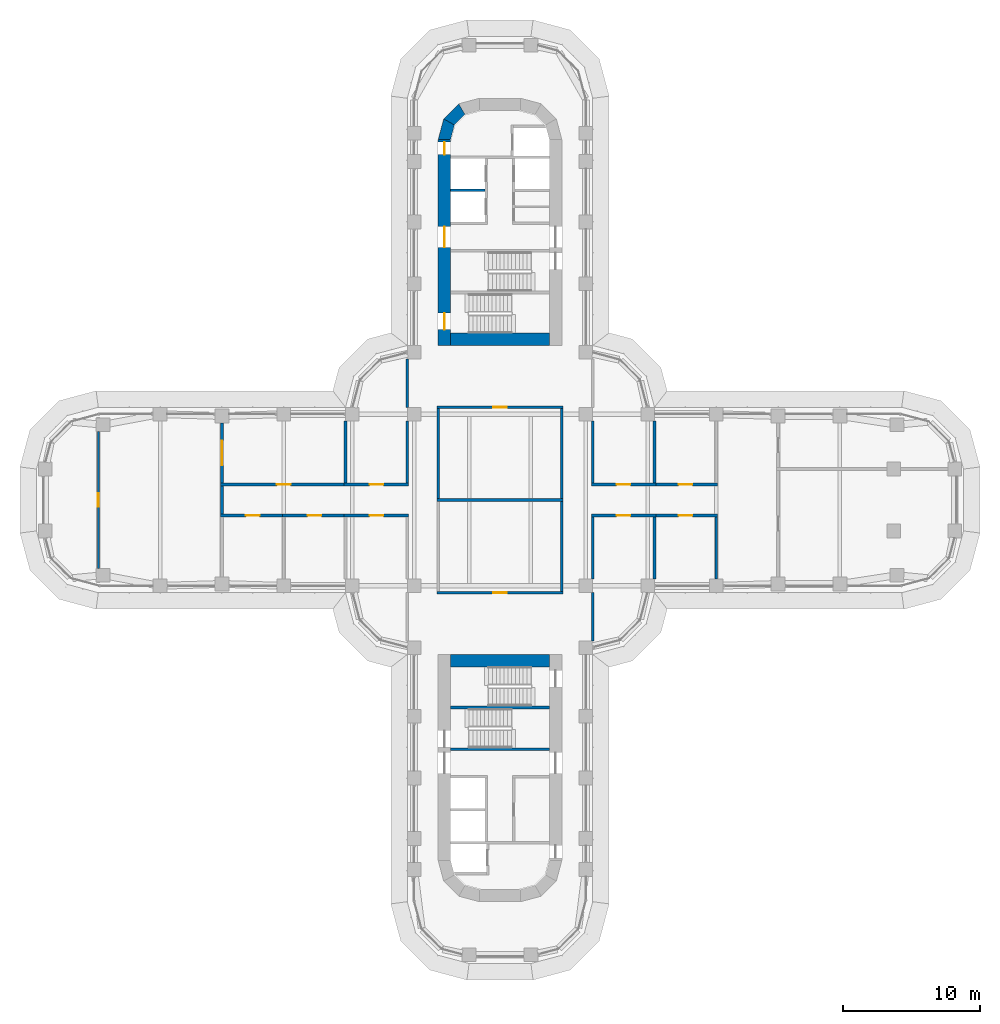
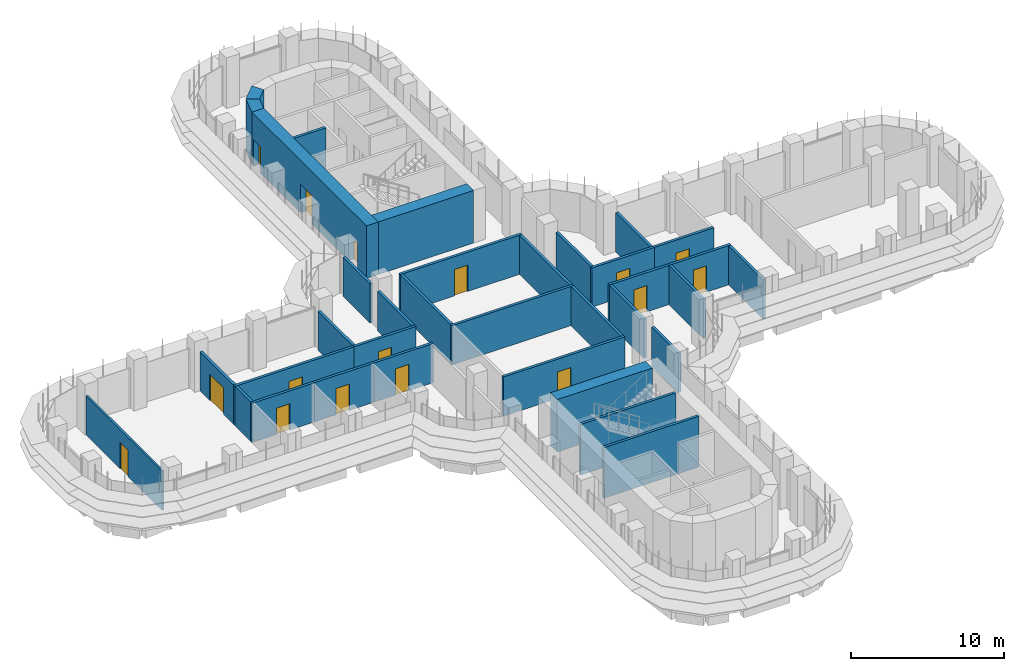
# One storey, part 17 of 23: 35 walls, 16 doors, 16 openings.
"""IFC4 building model written with IfcOpenShell, lengths in metres."""

from ifc_helpers import new_model, si_unit, direction, frame, frame_2d, origin, place, context, subcontext, project, spatial, polyline, rectangle, outline, extrude, material, layer, layer_set, type_object, element, fill, save


model = new_model("IFC4")

# Units and contexts
model_context = context("Model", 3, precision=1e-05, world=origin(), true_north=direction((0.0, 1.0)))
body_context = subcontext(model_context, "Body", "Model", "MODEL_VIEW")
ifc_project = project(units=[si_unit("LENGTHUNIT", "METRE"), si_unit("AREAUNIT", "SQUARE_METRE"), si_unit("VOLUMEUNIT", "CUBIC_METRE"), si_unit("PLANEANGLEUNIT", "RADIAN"), si_unit("MASSUNIT", "GRAM", prefix="KILO")], contexts=[model_context])

# Site, building, storey
site_placement = place(None, origin())
site = spatial("IfcSite", under=ifc_project, at=site_placement, CompositionType="ELEMENT")
building_placement = place(site_placement, origin())
building = spatial("IfcBuilding", under=site, at=building_placement, Name="Zarbagh Exchange Tower", CompositionType="ELEMENT")
storey_placement = place(building_placement, frame((0.0, 0.0, 52.199951171875)))
storey = spatial("IfcBuildingStorey", under=building, at=storey_placement, Name="L11", CompositionType="ELEMENT", Elevation=52.199951171875)

# Wall, opening, door
ifc_material_1 = material(Name="Plasterboard partition")
ifc_layer_1 = layer(ifc_material_1, 0.14990234375)
ifc_layer_set_1 = layer_set([ifc_layer_1], Name="PARTITION 150")
wall_type_1 = type_object("IfcWallType", Name="PARTITION 150", PredefinedType="PARTITIONING", material=ifc_layer_set_1)
wall_1_placement = place(storey_placement, frame((-29.25, -4.97509765625, 0.0), z_axis=(0.0, 0.0, 1.0), x_axis=(0.0, 1.0, 0.0)))
wall_1 = element("IfcWall", 1, at=wall_1_placement, inside=storey, type_object=wall_type_1, Name="Partition W-339", PredefinedType="PARTITIONING", context=body_context, shape_type="SweptSolid", body=[
    extrude(rectangle(XDim=9.9501953125, YDim=0.14990234375, at=frame_2d((4.97509765625, 0.0))), origin(), (0.0, 0.0, 1.0), 3.130615234375),
])
opening_1_placement = place(wall_1_placement, frame((4.47509765625, 0.0, 0.0)))
opening_1 = element("IfcOpeningElement", 2, at=opening_1_placement, cuts=wall_1, Name="Opening D-309", PredefinedType="OPENING", context=body_context, shape_type="SweptSolid", body=[
    extrude(rectangle(XDim=1.0, YDim=2.10009765625, at=frame_2d((0.5, 1.050048828125))), frame((0.0, 0.0849609375, 0.0), z_axis=(0.0, -1.0, 0.0), x_axis=(1.0, 0.0, 0.0)), (0.0, 0.0, 1.0), 0.169921875),
])
ifc_material_2 = material(Name="Timber door leaf", Category="wood")
door_type_1 = type_object("IfcDoorType", Name="DOOR 1000 X 2100", OperationType="NOTDEFINED", PredefinedType="DOOR", material=ifc_material_2)
door_1_placement = place(opening_1_placement, origin())
door_1 = element("IfcDoor", 3, at=door_1_placement, inside=storey, type_object=door_type_1, Name="Door D-309", OperationType="SINGLE_SWING_RIGHT", OverallHeight=2.10009765625, OverallWidth=1.0, PredefinedType="DOOR", context=body_context, shape_type="SweptSolid", body=[
    extrude(rectangle(XDim=1.0, YDim=2.10009765625, at=frame_2d((0.5, 1.050048828125))), frame((0.0, 0.02490234375, 0.0), z_axis=(0.0, -1.0, 0.0), x_axis=(1.0, 0.0, 0.0)), (0.0, 0.0, 1.0), 0.050048828125),
])
fill(opening_1, door_1)

# Walls
ifc_material_3 = material(Name="Fire-rated plasterboard partition")
ifc_layer_2 = layer(ifc_material_3, 0.199951171875)
ifc_layer_set_2 = layer_set([ifc_layer_2], Name="RATED PARTITION 200")
wall_type_2 = type_object("IfcWallType", Name="RATED PARTITION 200", PredefinedType="PARTITIONING", material=ifc_layer_set_2)
wall_2_placement = place(storey_placement, frame((-4.5, 0.10009765625, 0.0), z_axis=(0.0, 0.0, 1.0), x_axis=(0.0, 1.0, 0.0)))
element("IfcWall", 4, at=wall_2_placement, inside=storey, type_object=wall_type_2, Name="Partition W-301", PredefinedType="PARTITIONING", context=body_context, shape_type="SweptSolid", body=[
    extrude(rectangle(XDim=6.5498046875, YDim=0.199951171875, at=frame_2d((3.27490234375, 0.0))), origin(), (0.0, 0.0, 1.0), 3.130615234375),
])
wall_3_placement = place(storey_placement, frame((-6.75, 1.22509765625, 0.0), z_axis=(0.0, 0.0, 1.0), x_axis=(0.0, 1.0, 0.0)))
element("IfcWall", 5, at=wall_3_placement, inside=storey, type_object=wall_type_2, Name="Partition W-303", PredefinedType="PARTITIONING", context=body_context, shape_type="SweptSolid", body=[
    extrude(rectangle(XDim=4.52490234375, YDim=0.199951171875, at=frame_2d((2.262451171875, 0.0))), origin(), (0.0, 0.0, 1.0), 3.130615234375),
])
wall_4_placement = place(storey_placement, frame((-6.75, 6.75, 0.0), z_axis=(0.0, 0.0, 1.0), x_axis=(0.0, 1.0, 0.0)))
element("IfcWall", 6, at=wall_4_placement, inside=storey, type_object=wall_type_2, Name="Partition W-304", PredefinedType="PARTITIONING", context=body_context, shape_type="SweptSolid", body=[
    extrude(rectangle(XDim=3.5, YDim=0.199951171875, at=frame_2d((1.75, 0.0))), origin(), (0.0, 0.0, 1.0), 3.130615234375),
])
for number, where, z_axis, x_axis, name in (
    (7, (4.5, 0.10009765625, 0.0), (0.0, 0.0, 1.0), (0.0, 1.0, 0.0), "Partition W-307"),
    (8, (4.5, -6.64990234375, 0.0), (0.0, 0.0, 1.0), (0.0, 1.0, 0.0), "Partition W-308"),
):
    element("IfcWall", number, at=place(storey_placement, frame(where, z_axis=z_axis, x_axis=x_axis)), inside=storey, type_object=wall_type_2, Name=name, PredefinedType="PARTITIONING", context=body_context, shape_type="SweptSolid", body=[
        extrude(rectangle(XDim=6.5498046875, YDim=0.199951171875, at=frame_2d((3.27490234375, 0.0))), origin(), (0.0, 0.0, 1.0), 3.130615234375),
    ])
wall_5_placement = place(storey_placement, frame((6.75, 1.22509765625, 0.0), z_axis=(0.0, 0.0, 1.0), x_axis=(0.0, 1.0, 0.0)))
element("IfcWall", 9, at=wall_5_placement, inside=storey, type_object=wall_type_2, Name="Partition W-309", PredefinedType="PARTITIONING", context=body_context, shape_type="SweptSolid", body=[
    extrude(rectangle(XDim=4.52490234375, YDim=0.199951171875, at=frame_2d((2.262451171875, 0.0))), origin(), (0.0, 0.0, 1.0), 3.130615234375),
])
wall_6_placement = place(storey_placement, frame((6.75, -10.25, 0.0), z_axis=(0.0, 0.0, 1.0), x_axis=(0.0, 1.0, 0.0)))
element("IfcWall", 10, at=wall_6_placement, inside=storey, type_object=wall_type_2, Name="Partition W-311", PredefinedType="PARTITIONING", context=body_context, shape_type="SweptSolid", body=[
    extrude(rectangle(XDim=3.5, YDim=0.199951171875, at=frame_2d((1.75, 0.0))), origin(), (0.0, 0.0, 1.0), 3.130615234375),
])
wall_7_placement = place(storey_placement, frame((6.75, -5.75, 0.0), z_axis=(0.0, 0.0, 1.0), x_axis=(0.0, 1.0, 0.0)))
element("IfcWall", 11, at=wall_7_placement, inside=storey, type_object=wall_type_2, Name="Partition W-312", PredefinedType="PARTITIONING", context=body_context, shape_type="SweptSolid", body=[
    extrude(rectangle(XDim=4.52490234375, YDim=0.199951171875, at=frame_2d((2.262451171875, 0.0))), origin(), (0.0, 0.0, 1.0), 3.130615234375),
])

# Wall, opening, door
wall_8_placement = place(storey_placement, frame((4.60009765625, 6.75, 0.0), z_axis=(0.0, 0.0, 1.0), x_axis=(-1.0, 0.0, 0.0)))
wall_8 = element("IfcWall", 12, at=wall_8_placement, inside=storey, type_object=wall_type_2, Name="Partition W-313", PredefinedType="PARTITIONING", context=body_context, shape_type="SweptSolid", body=[
    extrude(rectangle(XDim=9.2001953125, YDim=0.199951171875, at=frame_2d((4.60009765625, 0.0))), origin(), (0.0, 0.0, 1.0), 3.130615234375),
])
opening_2_placement = place(wall_8_placement, frame((4.10009765625, 0.0, 0.0)))
opening_2 = element("IfcOpeningElement", 13, at=opening_2_placement, cuts=wall_8, Name="Opening D-301", PredefinedType="OPENING", context=body_context, shape_type="SweptSolid", body=[
    extrude(rectangle(XDim=1.0, YDim=2.10009765625, at=frame_2d((0.5, 1.050048828125))), frame((0.0, 0.10986328125, 0.0), z_axis=(0.0, -1.0, 0.0), x_axis=(1.0, 0.0, 0.0)), (0.0, 0.0, 1.0), 0.219970703125),
])
ifc_material_4 = material(Name="Steel door set", Category="steel")
door_type_2 = type_object("IfcDoorType", Name="FIRE DOOR 1000 X 2100 FD30S", OperationType="NOTDEFINED", PredefinedType="DOOR", material=ifc_material_4)
door_2_placement = place(opening_2_placement, origin())
door_2 = element("IfcDoor", 14, at=door_2_placement, inside=storey, type_object=door_type_2, Name="Door D-301", OperationType="SINGLE_SWING_RIGHT", OverallHeight=2.10009765625, OverallWidth=1.0, PredefinedType="DOOR", context=body_context, shape_type="SweptSolid", body=[
    extrude(rectangle(XDim=1.0, YDim=2.10009765625, at=frame_2d((0.5, 1.050048828125))), frame((0.0, 0.02490234375, 0.0), z_axis=(0.0, -1.0, 0.0), x_axis=(1.0, 0.0, 0.0)), (0.0, 0.0, 1.0), 0.050048828125),
])
fill(opening_2, door_2)

wall_9_placement = place(storey_placement, frame((-4.60009765625, -6.75, 0.0), z_axis=(0.0, 0.0, 1.0), x_axis=(1.0, 0.0, 0.0)))
wall_9 = element("IfcWall", 15, at=wall_9_placement, inside=storey, type_object=wall_type_2, Name="Partition W-314", PredefinedType="PARTITIONING", context=body_context, shape_type="SweptSolid", body=[
    extrude(rectangle(XDim=9.2001953125, YDim=0.199951171875, at=frame_2d((4.60009765625, 0.0))), origin(), (0.0, 0.0, 1.0), 3.130615234375),
])
opening_3_placement = place(wall_9_placement, frame((4.10009765625, 0.0, 0.0)))
opening_3 = element("IfcOpeningElement", 16, at=opening_3_placement, cuts=wall_9, Name="Opening D-302", PredefinedType="OPENING", context=body_context, shape_type="SweptSolid", body=[
    extrude(rectangle(XDim=1.0, YDim=2.10009765625, at=frame_2d((0.5, 1.050048828125))), frame((0.0, 0.10986328125, 0.0), z_axis=(0.0, -1.0, 0.0), x_axis=(1.0, 0.0, 0.0)), (0.0, 0.0, 1.0), 0.219970703125),
])
door_3_placement = place(opening_3_placement, origin())
door_3 = element("IfcDoor", 17, at=door_3_placement, inside=storey, type_object=door_type_2, Name="Door D-302", OperationType="SINGLE_SWING_RIGHT", OverallHeight=2.10009765625, OverallWidth=1.0, PredefinedType="DOOR", context=body_context, shape_type="SweptSolid", body=[
    extrude(rectangle(XDim=1.0, YDim=2.10009765625, at=frame_2d((0.5, 1.050048828125))), frame((0.0, 0.02490234375, 0.0), z_axis=(0.0, -1.0, 0.0), x_axis=(1.0, 0.0, 0.0)), (0.0, 0.0, 1.0), 0.050048828125),
])
fill(opening_3, door_3)

# Wall
wall_10_placement = place(storey_placement, frame((-4.60009765625, 0.0, 0.0), z_axis=(0.0, 0.0, 1.0), x_axis=(1.0, 0.0, 0.0)))
element("IfcWall", 18, at=wall_10_placement, inside=storey, type_object=wall_type_2, Name="Partition W-315", PredefinedType="PARTITIONING", context=body_context, shape_type="SweptSolid", body=[
    extrude(rectangle(XDim=9.2001953125, YDim=0.199951171875, at=frame_2d((4.60009765625, 0.0))), origin(), (0.0, 0.0, 1.0), 3.130615234375),
])

# Wall, opening, door
wall_11_placement = place(storey_placement, frame((6.64990234375, 1.125, 0.0), z_axis=(0.0, 0.0, 1.0), x_axis=(1.0, 0.0, 0.0)))
wall_11 = element("IfcWall", 19, at=wall_11_placement, inside=storey, type_object=wall_type_2, Name="Partition W-316", PredefinedType="PARTITIONING", context=body_context, shape_type="SweptSolid", body=[
    extrude(rectangle(XDim=4.7001953125, YDim=0.199951171875, at=frame_2d((2.35009765625, 0.0))), origin(), (0.0, 0.0, 1.0), 3.130615234375),
])
opening_4_placement = place(wall_11_placement, frame((1.85009765625, 0.0, 0.0)))
opening_4 = element("IfcOpeningElement", 20, at=opening_4_placement, cuts=wall_11, Name="Opening D-303", PredefinedType="OPENING", context=body_context, shape_type="SweptSolid", body=[
    extrude(rectangle(XDim=1.0, YDim=2.10009765625, at=frame_2d((0.5, 1.050048828125))), frame((0.0, 0.10986328125, 0.0), z_axis=(0.0, -1.0, 0.0), x_axis=(1.0, 0.0, 0.0)), (0.0, 0.0, 1.0), 0.219970703125),
])
door_4_placement = place(opening_4_placement, origin())
door_4 = element("IfcDoor", 21, at=door_4_placement, inside=storey, type_object=door_type_2, Name="Door D-303", OperationType="SINGLE_SWING_RIGHT", OverallHeight=2.10009765625, OverallWidth=1.0, PredefinedType="DOOR", context=body_context, shape_type="SweptSolid", body=[
    extrude(rectangle(XDim=1.0, YDim=2.10009765625, at=frame_2d((0.5, 1.050048828125))), frame((0.0, 0.02490234375, 0.0), z_axis=(0.0, -1.0, 0.0), x_axis=(1.0, 0.0, 0.0)), (0.0, 0.0, 1.0), 0.050048828125),
])
fill(opening_4, door_4)

wall_12_placement = place(storey_placement, frame((11.35009765625, -1.125, 0.0), z_axis=(0.0, 0.0, 1.0), x_axis=(-1.0, 0.0, 0.0)))
wall_12 = element("IfcWall", 22, at=wall_12_placement, inside=storey, type_object=wall_type_2, Name="Partition W-317", PredefinedType="PARTITIONING", context=body_context, shape_type="SweptSolid", body=[
    extrude(rectangle(XDim=4.7001953125, YDim=0.199951171875, at=frame_2d((2.35009765625, 0.0))), origin(), (0.0, 0.0, 1.0), 3.130615234375),
])
opening_5_placement = place(wall_12_placement, frame((1.85009765625, 0.0, 0.0)))
opening_5 = element("IfcOpeningElement", 23, at=opening_5_placement, cuts=wall_12, Name="Opening D-305", PredefinedType="OPENING", context=body_context, shape_type="SweptSolid", body=[
    extrude(rectangle(XDim=1.0, YDim=2.10009765625, at=frame_2d((0.5, 1.050048828125))), frame((0.0, 0.10986328125, 0.0), z_axis=(0.0, -1.0, 0.0), x_axis=(1.0, 0.0, 0.0)), (0.0, 0.0, 1.0), 0.219970703125),
])
door_5_placement = place(opening_5_placement, origin())
door_5 = element("IfcDoor", 24, at=door_5_placement, inside=storey, type_object=door_type_2, Name="Door D-305", OperationType="SINGLE_SWING_RIGHT", OverallHeight=2.10009765625, OverallWidth=1.0, PredefinedType="DOOR", context=body_context, shape_type="SweptSolid", body=[
    extrude(rectangle(XDim=1.0, YDim=2.10009765625, at=frame_2d((0.5, 1.050048828125))), frame((0.0, 0.02490234375, 0.0), z_axis=(0.0, -1.0, 0.0), x_axis=(1.0, 0.0, 0.0)), (0.0, 0.0, 1.0), 0.050048828125),
])
fill(opening_5, door_5)

wall_13_placement = place(storey_placement, frame((11.14990234375, 1.125, 0.0), z_axis=(0.0, 0.0, 1.0), x_axis=(1.0, 0.0, 0.0)))
wall_13 = element("IfcWall", 25, at=wall_13_placement, inside=storey, type_object=wall_type_2, Name="Partition W-318", PredefinedType="PARTITIONING", context=body_context, shape_type="SweptSolid", body=[
    extrude(rectangle(XDim=4.7001953125, YDim=0.199951171875, at=frame_2d((2.35009765625, 0.0))), origin(), (0.0, 0.0, 1.0), 3.130615234375),
])
opening_6_placement = place(wall_13_placement, frame((1.85009765625, 0.0, 0.0)))
opening_6 = element("IfcOpeningElement", 26, at=opening_6_placement, cuts=wall_13, Name="Opening D-304", PredefinedType="OPENING", context=body_context, shape_type="SweptSolid", body=[
    extrude(rectangle(XDim=1.0, YDim=2.10009765625, at=frame_2d((0.5, 1.050048828125))), frame((0.0, 0.10986328125, 0.0), z_axis=(0.0, -1.0, 0.0), x_axis=(1.0, 0.0, 0.0)), (0.0, 0.0, 1.0), 0.219970703125),
])
door_6_placement = place(opening_6_placement, origin())
door_6 = element("IfcDoor", 27, at=door_6_placement, inside=storey, type_object=door_type_2, Name="Door D-304", OperationType="SINGLE_SWING_RIGHT", OverallHeight=2.10009765625, OverallWidth=1.0, PredefinedType="DOOR", context=body_context, shape_type="SweptSolid", body=[
    extrude(rectangle(XDim=1.0, YDim=2.10009765625, at=frame_2d((0.5, 1.050048828125))), frame((0.0, 0.02490234375, 0.0), z_axis=(0.0, -1.0, 0.0), x_axis=(1.0, 0.0, 0.0)), (0.0, 0.0, 1.0), 0.050048828125),
])
fill(opening_6, door_6)

wall_14_placement = place(storey_placement, frame((15.85009765625, -1.125, 0.0), z_axis=(0.0, 0.0, 1.0), x_axis=(-1.0, 0.0, 0.0)))
wall_14 = element("IfcWall", 28, at=wall_14_placement, inside=storey, type_object=wall_type_2, Name="Partition W-319", PredefinedType="PARTITIONING", context=body_context, shape_type="SweptSolid", body=[
    extrude(rectangle(XDim=4.7001953125, YDim=0.199951171875, at=frame_2d((2.35009765625, 0.0))), origin(), (0.0, 0.0, 1.0), 3.130615234375),
])
opening_7_placement = place(wall_14_placement, frame((1.85009765625, 0.0, 0.0)))
opening_7 = element("IfcOpeningElement", 29, at=opening_7_placement, cuts=wall_14, Name="Opening D-306", PredefinedType="OPENING", context=body_context, shape_type="SweptSolid", body=[
    extrude(rectangle(XDim=1.0, YDim=2.10009765625, at=frame_2d((0.5, 1.050048828125))), frame((0.0, 0.10986328125, 0.0), z_axis=(0.0, -1.0, 0.0), x_axis=(1.0, 0.0, 0.0)), (0.0, 0.0, 1.0), 0.219970703125),
])
door_7_placement = place(opening_7_placement, origin())
door_7 = element("IfcDoor", 30, at=door_7_placement, inside=storey, type_object=door_type_2, Name="Door D-306", OperationType="SINGLE_SWING_RIGHT", OverallHeight=2.10009765625, OverallWidth=1.0, PredefinedType="DOOR", context=body_context, shape_type="SweptSolid", body=[
    extrude(rectangle(XDim=1.0, YDim=2.10009765625, at=frame_2d((0.5, 1.050048828125))), frame((0.0, 0.02490234375, 0.0), z_axis=(0.0, -1.0, 0.0), x_axis=(1.0, 0.0, 0.0)), (0.0, 0.0, 1.0), 0.050048828125),
])
fill(opening_7, door_7)

# Walls
for number, where, z_axis, x_axis, name in (
    (31, (11.25, 1.22509765625, 0.0), (0.0, 0.0, 1.0), (0.0, 1.0, 0.0), "Partition W-320"),
    (32, (11.25, -5.75, 0.0), (0.0, 0.0, 1.0), (0.0, 1.0, 0.0), "Partition W-321"),
    (33, (15.75, -5.75, 0.0), (0.0, 0.0, 1.0), (0.0, 1.0, 0.0), "Partition W-323"),
):
    element("IfcWall", number, at=place(storey_placement, frame(where, z_axis=z_axis, x_axis=x_axis)), inside=storey, type_object=wall_type_2, Name=name, PredefinedType="PARTITIONING", context=body_context, shape_type="SweptSolid", body=[
        extrude(rectangle(XDim=4.52490234375, YDim=0.199951171875, at=frame_2d((2.262451171875, 0.0))), origin(), (0.0, 0.0, 1.0), 3.130615234375),
    ])

# Wall, opening, door
wall_15_placement = place(storey_placement, frame((-11.35009765625, 1.125, 0.0), z_axis=(0.0, 0.0, 1.0), x_axis=(1.0, 0.0, 0.0)))
wall_15 = element("IfcWall", 34, at=wall_15_placement, inside=storey, type_object=wall_type_2, Name="Partition W-328", PredefinedType="PARTITIONING", context=body_context, shape_type="SweptSolid", body=[
    extrude(rectangle(XDim=4.7001953125, YDim=0.199951171875, at=frame_2d((2.35009765625, 0.0))), origin(), (0.0, 0.0, 1.0), 3.130615234375),
])
opening_8_placement = place(wall_15_placement, frame((1.85009765625, 0.0, 0.0)))
opening_8 = element("IfcOpeningElement", 35, at=opening_8_placement, cuts=wall_15, Name="Opening D-311", PredefinedType="OPENING", context=body_context, shape_type="SweptSolid", body=[
    extrude(rectangle(XDim=1.0, YDim=2.10009765625, at=frame_2d((0.5, 1.050048828125))), frame((0.0, 0.10986328125, 0.0), z_axis=(0.0, -1.0, 0.0), x_axis=(1.0, 0.0, 0.0)), (0.0, 0.0, 1.0), 0.219970703125),
])
door_8_placement = place(opening_8_placement, origin())
door_8 = element("IfcDoor", 36, at=door_8_placement, inside=storey, type_object=door_type_2, Name="Door D-311", OperationType="SINGLE_SWING_RIGHT", OverallHeight=2.10009765625, OverallWidth=1.0, PredefinedType="DOOR", context=body_context, shape_type="SweptSolid", body=[
    extrude(rectangle(XDim=1.0, YDim=2.10009765625, at=frame_2d((0.5, 1.050048828125))), frame((0.0, 0.02490234375, 0.0), z_axis=(0.0, -1.0, 0.0), x_axis=(1.0, 0.0, 0.0)), (0.0, 0.0, 1.0), 0.050048828125),
])
fill(opening_8, door_8)

wall_16_placement = place(storey_placement, frame((-6.64990234375, -1.125, 0.0), z_axis=(0.0, 0.0, 1.0), x_axis=(-1.0, 0.0, 0.0)))
wall_16 = element("IfcWall", 37, at=wall_16_placement, inside=storey, type_object=wall_type_2, Name="Partition W-329", PredefinedType="PARTITIONING", context=body_context, shape_type="SweptSolid", body=[
    extrude(rectangle(XDim=4.7001953125, YDim=0.199951171875, at=frame_2d((2.35009765625, 0.0))), origin(), (0.0, 0.0, 1.0), 3.130615234375),
])
opening_9_placement = place(wall_16_placement, frame((1.85009765625, 0.0, 0.0)))
opening_9 = element("IfcOpeningElement", 38, at=opening_9_placement, cuts=wall_16, Name="Opening D-313", PredefinedType="OPENING", context=body_context, shape_type="SweptSolid", body=[
    extrude(rectangle(XDim=1.0, YDim=2.10009765625, at=frame_2d((0.5, 1.050048828125))), frame((0.0, 0.10986328125, 0.0), z_axis=(0.0, -1.0, 0.0), x_axis=(1.0, 0.0, 0.0)), (0.0, 0.0, 1.0), 0.219970703125),
])
door_9_placement = place(opening_9_placement, origin())
door_9 = element("IfcDoor", 39, at=door_9_placement, inside=storey, type_object=door_type_2, Name="Door D-313", OperationType="SINGLE_SWING_RIGHT", OverallHeight=2.10009765625, OverallWidth=1.0, PredefinedType="DOOR", context=body_context, shape_type="SweptSolid", body=[
    extrude(rectangle(XDim=1.0, YDim=2.10009765625, at=frame_2d((0.5, 1.050048828125))), frame((0.0, 0.02490234375, 0.0), z_axis=(0.0, -1.0, 0.0), x_axis=(1.0, 0.0, 0.0)), (0.0, 0.0, 1.0), 0.050048828125),
])
fill(opening_9, door_9)

wall_17_placement = place(storey_placement, frame((-20.35009765625, 1.125, 0.0), z_axis=(0.0, 0.0, 1.0), x_axis=(1.0, 0.0, 0.0)))
wall_17 = element("IfcWall", 40, at=wall_17_placement, inside=storey, type_object=wall_type_2, Name="Partition W-330", PredefinedType="PARTITIONING", context=body_context, shape_type="SweptSolid", body=[
    extrude(rectangle(XDim=9.2001953125, YDim=0.199951171875, at=frame_2d((4.60009765625, 0.0))), origin(), (0.0, 0.0, 1.0), 3.130615234375),
])
opening_10_placement = place(wall_17_placement, frame((4.10009765625, 0.0, 0.0)))
opening_10 = element("IfcOpeningElement", 41, at=opening_10_placement, cuts=wall_17, Name="Opening D-312", PredefinedType="OPENING", context=body_context, shape_type="SweptSolid", body=[
    extrude(rectangle(XDim=1.0, YDim=2.10009765625, at=frame_2d((0.5, 1.050048828125))), frame((0.0, 0.10986328125, 0.0), z_axis=(0.0, -1.0, 0.0), x_axis=(1.0, 0.0, 0.0)), (0.0, 0.0, 1.0), 0.219970703125),
])
door_10_placement = place(opening_10_placement, origin())
door_10 = element("IfcDoor", 42, at=door_10_placement, inside=storey, type_object=door_type_2, Name="Door D-312", OperationType="SINGLE_SWING_RIGHT", OverallHeight=2.10009765625, OverallWidth=1.0, PredefinedType="DOOR", context=body_context, shape_type="SweptSolid", body=[
    extrude(rectangle(XDim=1.0, YDim=2.10009765625, at=frame_2d((0.5, 1.050048828125))), frame((0.0, 0.02490234375, 0.0), z_axis=(0.0, -1.0, 0.0), x_axis=(1.0, 0.0, 0.0)), (0.0, 0.0, 1.0), 0.050048828125),
])
fill(opening_10, door_10)

wall_18_placement = place(storey_placement, frame((-11.14990234375, -1.125, 0.0), z_axis=(0.0, 0.0, 1.0), x_axis=(-1.0, 0.0, 0.0)))
wall_18 = element("IfcWall", 43, at=wall_18_placement, inside=storey, type_object=wall_type_2, Name="Partition W-331", PredefinedType="PARTITIONING", context=body_context, shape_type="SweptSolid", body=[
    extrude(rectangle(XDim=4.7001953125, YDim=0.199951171875, at=frame_2d((2.35009765625, 0.0))), origin(), (0.0, 0.0, 1.0), 3.130615234375),
])
opening_11_placement = place(wall_18_placement, frame((1.85009765625, 0.0, 0.0)))
opening_11 = element("IfcOpeningElement", 44, at=opening_11_placement, cuts=wall_18, Name="Opening D-314", PredefinedType="OPENING", context=body_context, shape_type="SweptSolid", body=[
    extrude(rectangle(XDim=1.0, YDim=2.10009765625, at=frame_2d((0.5, 1.050048828125))), frame((0.0, 0.10986328125, 0.0), z_axis=(0.0, -1.0, 0.0), x_axis=(1.0, 0.0, 0.0)), (0.0, 0.0, 1.0), 0.219970703125),
])
door_11_placement = place(opening_11_placement, origin())
door_11 = element("IfcDoor", 45, at=door_11_placement, inside=storey, type_object=door_type_2, Name="Door D-314", OperationType="SINGLE_SWING_RIGHT", OverallHeight=2.10009765625, OverallWidth=1.0, PredefinedType="DOOR", context=body_context, shape_type="SweptSolid", body=[
    extrude(rectangle(XDim=1.0, YDim=2.10009765625, at=frame_2d((0.5, 1.050048828125))), frame((0.0, 0.02490234375, 0.0), z_axis=(0.0, -1.0, 0.0), x_axis=(1.0, 0.0, 0.0)), (0.0, 0.0, 1.0), 0.050048828125),
])
fill(opening_11, door_11)

wall_19_placement = place(storey_placement, frame((-15.64990234375, -1.125, 0.0), z_axis=(0.0, 0.0, 1.0), x_axis=(-1.0, 0.0, 0.0)))
wall_19 = element("IfcWall", 46, at=wall_19_placement, inside=storey, type_object=wall_type_2, Name="Partition W-332", PredefinedType="PARTITIONING", context=body_context, shape_type="SweptSolid", body=[
    extrude(rectangle(XDim=4.7001953125, YDim=0.199951171875, at=frame_2d((2.35009765625, 0.0))), origin(), (0.0, 0.0, 1.0), 3.130615234375),
])
opening_12_placement = place(wall_19_placement, frame((1.85009765625, 0.0, 0.0)))
opening_12 = element("IfcOpeningElement", 47, at=opening_12_placement, cuts=wall_19, Name="Opening D-315", PredefinedType="OPENING", context=body_context, shape_type="SweptSolid", body=[
    extrude(rectangle(XDim=1.0, YDim=2.10009765625, at=frame_2d((0.5, 1.050048828125))), frame((0.0, 0.10986328125, 0.0), z_axis=(0.0, -1.0, 0.0), x_axis=(1.0, 0.0, 0.0)), (0.0, 0.0, 1.0), 0.219970703125),
])
door_12_placement = place(opening_12_placement, origin())
door_12 = element("IfcDoor", 48, at=door_12_placement, inside=storey, type_object=door_type_2, Name="Door D-315", OperationType="SINGLE_SWING_LEFT", OverallHeight=2.10009765625, OverallWidth=1.0, PredefinedType="DOOR", context=body_context, shape_type="SweptSolid", body=[
    extrude(rectangle(XDim=1.0, YDim=2.10009765625, at=frame_2d((0.5, 1.050048828125))), frame((0.0, 0.02490234375, 0.0), z_axis=(0.0, -1.0, 0.0), x_axis=(1.0, 0.0, 0.0)), (0.0, 0.0, 1.0), 0.050048828125),
])
fill(opening_12, door_12)

# Walls
wall_20_placement = place(storey_placement, frame((-20.25, -1.02490234375, 0.0), z_axis=(0.0, 0.0, 1.0), x_axis=(0.0, 1.0, 0.0)))
element("IfcWall", 49, at=wall_20_placement, inside=storey, type_object=wall_type_2, Name="Partition W-333", PredefinedType="PARTITIONING", context=body_context, shape_type="SweptSolid", body=[
    extrude(rectangle(XDim=2.0498046875, YDim=0.199951171875, at=frame_2d((1.02490234375, 0.0))), origin(), (0.0, 0.0, 1.0), 3.130615234375),
])
wall_21_placement = place(storey_placement, frame((-11.25, 1.22509765625, 0.0), z_axis=(0.0, 0.0, 1.0), x_axis=(0.0, 1.0, 0.0)))
element("IfcWall", 50, at=wall_21_placement, inside=storey, type_object=wall_type_2, Name="Partition W-334", PredefinedType="PARTITIONING", context=body_context, shape_type="SweptSolid", body=[
    extrude(rectangle(XDim=4.52490234375, YDim=0.199951171875, at=frame_2d((2.262451171875, 0.0))), origin(), (0.0, 0.0, 1.0), 3.130615234375),
])

# Wall, opening, door
wall_22_placement = place(storey_placement, frame((-20.25, 1.22509765625, 0.0), z_axis=(0.0, 0.0, 1.0), x_axis=(0.0, 1.0, 0.0)))
wall_22 = element("IfcWall", 51, at=wall_22_placement, inside=storey, type_object=wall_type_2, Name="Partition W-336", PredefinedType="PARTITIONING", context=body_context, shape_type="SweptSolid", body=[
    extrude(rectangle(XDim=4.385009765625, YDim=0.199951171875, at=frame_2d((2.1923828125, 0.0))), origin(), (0.0, 0.0, 1.0), 3.130615234375),
])
opening_13_placement = place(wall_22_placement, frame((1.29248046875, 0.0, 0.0)))
opening_13 = element("IfcOpeningElement", 52, at=opening_13_placement, cuts=wall_22, Name="Opening D-310", PredefinedType="OPENING", context=body_context, shape_type="SweptSolid", body=[
    extrude(rectangle(XDim=1.800048828125, YDim=2.10009765625, at=frame_2d((0.89990234375, 1.050048828125))), frame((0.0, 0.10986328125, 0.0), z_axis=(0.0, -1.0, 0.0), x_axis=(1.0, 0.0, 0.0)), (0.0, 0.0, 1.0), 0.219970703125),
])
door_type_3 = type_object("IfcDoorType", Name="FIRE DOUBLE DOOR 1800 X 2100 FD30S", OperationType="DOUBLE_DOOR_SINGLE_SWING", PredefinedType="DOOR", material=ifc_material_4)
door_13_placement = place(opening_13_placement, origin())
door_13 = element("IfcDoor", 53, at=door_13_placement, inside=storey, type_object=door_type_3, Name="Door D-310", OperationType="DOUBLE_DOOR_SINGLE_SWING", OverallHeight=2.10009765625, OverallWidth=1.800048828125, PredefinedType="DOOR", context=body_context, shape_type="SweptSolid", body=[
    extrude(rectangle(XDim=1.800048828125, YDim=2.10009765625, at=frame_2d((0.89990234375, 1.050048828125))), frame((0.0, 0.02490234375, 0.0), z_axis=(0.0, -1.0, 0.0), x_axis=(1.0, 0.0, 0.0)), (0.0, 0.0, 1.0), 0.050048828125),
])
fill(opening_13, door_13)

# Walls
ifc_material_5 = material(Name="Concrete C60/75", Category="concrete")
ifc_layer_3 = layer(ifc_material_5, 0.89990234375)
ifc_layer_set_3 = layer_set([ifc_layer_3], Name="RC core corner wall 900 C60/75")
wall_type_3 = type_object("IfcWallType", Name="RC core corner wall 900 C60/75", PredefinedType="SHEAR", material=ifc_layer_set_3)
wall_23_placement = place(storey_placement, origin())
element("IfcWall", 54, at=wall_23_placement, inside=storey, type_object=wall_type_3, Name="CW2 core N corner W", PredefinedType="SHEAR", context=body_context, shape_type="SweptSolid", body=[
    extrude(outline(polyline([(-4.5, 26.25), (-4.09814453125, 27.75), (-3.318603515625, 27.300048828125), (-3.60009765625, 26.25), (-4.5, 26.25)])), origin(), (0.0, 0.0, 1.0), 4.199951171875),
])
wall_24_placement = place(storey_placement, origin())
element("IfcWall", 55, at=wall_24_placement, inside=storey, type_object=wall_type_3, Name="CW2 core N corner W", PredefinedType="SHEAR", context=body_context, shape_type="SweptSolid", body=[
    extrude(outline(polyline([(-4.09814453125, 27.75), (-3.0, 28.84814453125), (-2.550048828125, 28.068603515625), (-3.318603515625, 27.300048828125), (-4.09814453125, 27.75)])), origin(), (0.0, 0.0, 1.0), 4.199951171875),
])

# Wall, openings, doors
ifc_layer_4 = layer(ifc_material_5, 0.89990234375)
ifc_layer_set_4 = layer_set([ifc_layer_4], Name="RC core wall 900 C60/75")
wall_type_4 = type_object("IfcWallType", Name="RC core wall 900 C60/75", PredefinedType="SHEAR", material=ifc_layer_set_4)
wall_25_placement = place(storey_placement, frame((-4.050048828125, 11.25, 0.0), z_axis=(0.0, 0.0, 1.0), x_axis=(0.0, 1.0, 0.0)))
wall_25 = element("IfcWall", 56, at=wall_25_placement, inside=storey, type_object=wall_type_4, Name="CW1 core N W", PredefinedType="SHEAR", context=body_context, shape_type="SweptSolid", body=[
    extrude(rectangle(XDim=15.0, YDim=0.89990234375, at=frame_2d((7.5, 0.0))), origin(), (0.0, 0.0, 1.0), 4.199951171875),
])
opening_14_placement = place(wall_25_placement, frame((7.14990234375, 0.0, 0.0)))
opening_14 = element("IfcOpeningElement", 57, at=opening_14_placement, cuts=wall_25, Name="Opening CD1-1500", PredefinedType="OPENING", context=body_context, shape_type="SweptSolid", body=[
    extrude(rectangle(XDim=1.5, YDim=2.300048828125, at=frame_2d((0.75, 1.14990234375))), frame((0.0, 0.4599609375, 0.0), z_axis=(0.0, -1.0, 0.0), x_axis=(1.0, 0.0, 0.0)), (0.0, 0.0, 1.0), 0.919921875),
])
opening_15_placement = place(wall_25_placement, frame((13.89990234375, 0.0, 0.0)))
opening_15 = element("IfcOpeningElement", 58, at=opening_15_placement, cuts=wall_25, Name="Opening CD2-900", PredefinedType="OPENING", context=body_context, shape_type="SweptSolid", body=[
    extrude(rectangle(XDim=0.89990234375, YDim=2.10009765625, at=frame_2d((0.449951171875, 1.050048828125))), frame((0.0, 0.4599609375, 0.0), z_axis=(0.0, -1.0, 0.0), x_axis=(1.0, 0.0, 0.0)), (0.0, 0.0, 1.0), 0.919921875),
])
opening_16_placement = place(wall_25_placement, frame((1.14990234375, 0.0, 0.0)))
opening_16 = element("IfcOpeningElement", 59, at=opening_16_placement, cuts=wall_25, Name="Opening SD1-1200", PredefinedType="OPENING", context=body_context, shape_type="SweptSolid", body=[
    extrude(rectangle(XDim=1.199951171875, YDim=2.10009765625, at=frame_2d((0.60009765625, 1.050048828125))), frame((0.0, 0.4599609375, 0.0), z_axis=(0.0, -1.0, 0.0), x_axis=(1.0, 0.0, 0.0)), (0.0, 0.0, 1.0), 0.919921875),
])
ifc_material_6 = material(Name="Steel", Category="steel")
door_type_4 = type_object("IfcDoorType", Name="Exit stair door 1200 x 2100", OperationType="NOTDEFINED", PredefinedType="DOOR", material=ifc_material_6)
door_14_placement = place(opening_16_placement, origin())
door_14 = element("IfcDoor", 60, at=door_14_placement, inside=storey, type_object=door_type_4, Name="North core stair door ST2", OperationType="SINGLE_SWING_LEFT", OverallHeight=2.10009765625, OverallWidth=1.199951171875, PredefinedType="DOOR", context=body_context, shape_type="SweptSolid", body=[
    extrude(rectangle(XDim=1.199951171875, YDim=2.10009765625, at=frame_2d((0.60009765625, 1.050048828125))), frame((0.0, 0.02490234375, 0.0), z_axis=(0.0, -1.0, 0.0), x_axis=(1.0, 0.0, 0.0)), (0.0, 0.0, 1.0), 0.050048828125),
])
fill(opening_16, door_14)
door_type_5 = type_object("IfcDoorType", Name="Firefighting lobby door 900 x 2100", OperationType="NOTDEFINED", PredefinedType="DOOR", material=ifc_material_6)
door_15_placement = place(opening_15_placement, origin())
door_15 = element("IfcDoor", 61, at=door_15_placement, inside=storey, type_object=door_type_5, Name="North core firefighting lobby door FF-W", OperationType="SINGLE_SWING_RIGHT", OverallHeight=2.10009765625, OverallWidth=0.89990234375, PredefinedType="DOOR", context=body_context, shape_type="SweptSolid", body=[
    extrude(rectangle(XDim=0.89990234375, YDim=2.10009765625, at=frame_2d((0.449951171875, 1.050048828125))), frame((0.0, 0.02490234375, 0.0), z_axis=(0.0, -1.0, 0.0), x_axis=(1.0, 0.0, 0.0)), (0.0, 0.0, 1.0), 0.050048828125),
])
fill(opening_15, door_15)
door_type_6 = type_object("IfcDoorType", Name="Lift lobby double door 1500 x 2300", OperationType="NOTDEFINED", PredefinedType="DOOR", material=ifc_material_6)
door_16_placement = place(opening_14_placement, origin())
door_16 = element("IfcDoor", 62, at=door_16_placement, inside=storey, type_object=door_type_6, Name="North core lift lobby door LOBBY-W", OperationType="DOUBLE_DOOR_SINGLE_SWING", OverallHeight=2.300048828125, OverallWidth=1.5, PredefinedType="DOOR", context=body_context, shape_type="SweptSolid", body=[
    extrude(rectangle(XDim=1.5, YDim=2.300048828125, at=frame_2d((0.75, 1.14990234375))), frame((0.0, 0.02490234375, 0.0), z_axis=(0.0, -1.0, 0.0), x_axis=(1.0, 0.0, 0.0)), (0.0, 0.0, 1.0), 0.050048828125),
])
fill(opening_14, door_16)

# Walls
for number, where, z_axis, x_axis, name in (
    (63, (-3.60009765625, 11.699951171875, 0.0), (0.0, 0.0, 1.0), (1.0, 0.0, 0.0), "CW1 core N inner end"),
    (64, (-3.60009765625, -11.699951171875, 0.0), (0.0, 0.0, 1.0), (1.0, 0.0, 0.0), "CW1 core S inner end"),
):
    element("IfcWall", number, at=place(storey_placement, frame(where, z_axis=z_axis, x_axis=x_axis)), inside=storey, type_object=wall_type_4, Name=name, PredefinedType="SHEAR", context=body_context, shape_type="SweptSolid", body=[
        extrude(rectangle(XDim=7.2001953125, YDim=0.89990234375, at=frame_2d((3.60009765625, 0.0))), origin(), (0.0, 0.0, 1.0), 4.199951171875),
    ])
ifc_material_7 = material(Name="Dense blockwork", Category="masonry")
ifc_layer_5 = layer(ifc_material_7, 0.199951171875)
ifc_layer_set_5 = layer_set([ifc_layer_5], Name="Shaft wall 200 mm blockwork")
wall_type_5 = type_object("IfcWallType", Name="Shaft wall 200 mm blockwork", PredefinedType="PARTITIONING", material=ifc_layer_set_5)
wall_26_placement = place(storey_placement, frame((-3.60009765625, 22.550048828125, 0.0), z_axis=(0.0, 0.0, 1.0), x_axis=(1.0, 0.0, 0.0)))
element("IfcWall", 65, at=wall_26_placement, inside=storey, type_object=wall_type_5, Name="North core shaft wall TR-W", PredefinedType="PARTITIONING", context=body_context, shape_type="SweptSolid", body=[
    extrude(rectangle(XDim=2.5, YDim=0.199951171875, at=frame_2d((1.25, 0.0))), origin(), (0.0, 0.0, 1.0), 4.050048828125),
])
ifc_material_8 = material(Name="Concrete C40/50", Category="concrete")
ifc_layer_6 = layer(ifc_material_8, 0.199951171875)
ifc_layer_set_6 = layer_set([ifc_layer_6], Name="Stair enclosure wall 200 mm RC C40/50")
wall_type_6 = type_object("IfcWallType", Name="Stair enclosure wall 200 mm RC C40/50", PredefinedType="SHEAR", material=ifc_layer_set_6)
for number, where, z_axis, x_axis, name in (
    (66, (3.60009765625, -18.14990234375, 0.0), (0.0, 0.0, 1.0), (-1.0, 0.0, 0.0), "South core stair wall BS"),
    (67, (3.60009765625, -15.10009765625, 0.0), (0.0, 0.0, 1.0), (-1.0, 0.0, 0.0), "South core stair wall ST12"),
):
    element("IfcWall", number, at=place(storey_placement, frame(where, z_axis=z_axis, x_axis=x_axis)), inside=storey, type_object=wall_type_6, Name=name, PredefinedType="SHEAR", context=body_context, shape_type="SweptSolid", body=[
        extrude(rectangle(XDim=7.2001953125, YDim=0.199951171875, at=frame_2d((3.60009765625, 0.0))), origin(), (0.0, 0.0, 1.0), 4.050048828125),
    ])

save(model, "model.ifc")
